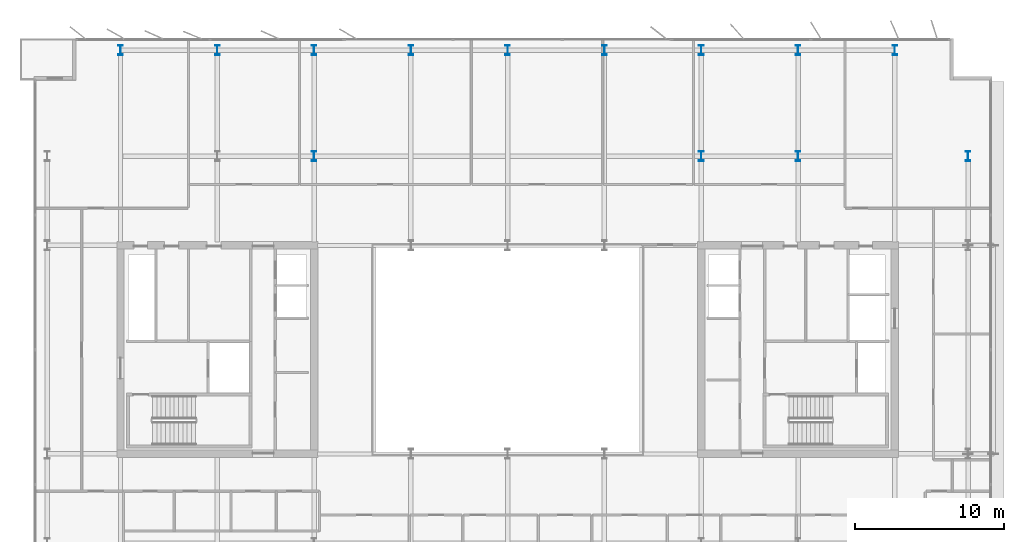
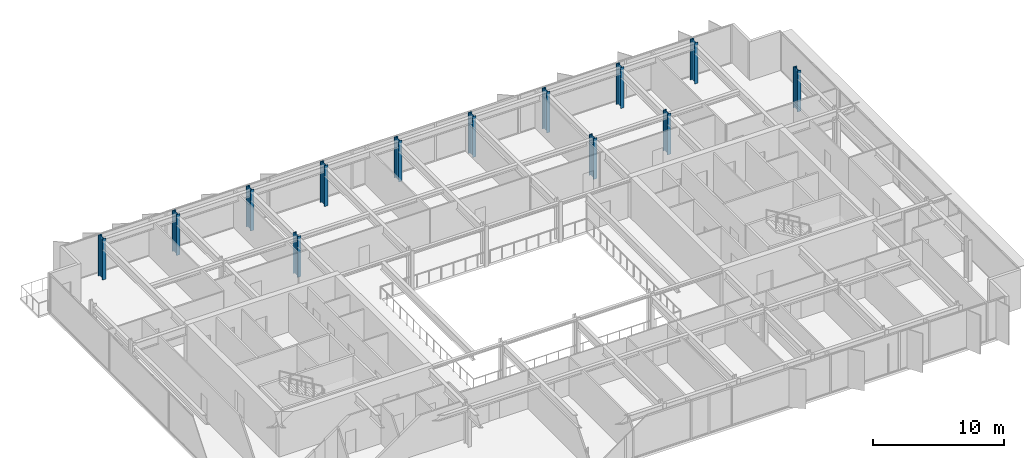
# One storey, part 3 of 20: 13 columns.
"""IFC4 building model written with IfcOpenShell, lengths in metres."""

from ifc_helpers import new_model, si_unit, direction, frame, origin, origin_2d, place, context, subcontext, project, spatial, i_section, extrude, material, material_profile, profile_set, type_object, element, save


model = new_model("IFC4")

# Units and contexts
model_context = context("Model", 3, precision=1e-05, world=origin(), true_north=direction((0.0, 1.0)))
body_context = subcontext(model_context, "Body", "Model", "MODEL_VIEW")
ifc_project = project(units=[si_unit("LENGTHUNIT", "METRE"), si_unit("AREAUNIT", "SQUARE_METRE"), si_unit("VOLUMEUNIT", "CUBIC_METRE"), si_unit("PLANEANGLEUNIT", "RADIAN"), si_unit("MASSUNIT", "GRAM", prefix="KILO")], contexts=[model_context])

# Site, building, storey
site_placement = place(None, origin())
site = spatial("IfcSite", under=ifc_project, at=site_placement, CompositionType="ELEMENT")
building_placement = place(site_placement, origin())
building = spatial("IfcBuilding", under=site, at=building_placement, Name="Putna Gate Headquarters", CompositionType="ELEMENT")
storey_placement = place(building_placement, frame((0.0, 0.0, 270.800048828125)))
storey = spatial("IfcBuildingStorey", under=building, at=storey_placement, Name="L68", CompositionType="ELEMENT", Elevation=270.800048828125)

# Columns
ifc_material = material(Name="Steel S460M", Category="steel")
ifc_material_profile_1 = material_profile(ifc_material, i_section(OverallWidth=0.304931640625, OverallDepth=0.66796875, WebThickness=0.02099609375, FlangeThickness=0.0400390625, at=origin_2d()), Name="Steel S460M")
ifc_profile_set_1 = profile_set([ifc_material_profile_1], Name="Steel S460M")
column_type_1 = type_object("IfcColumnType", Name="COL-STL-HEM650-EXT", PredefinedType="COLUMN", material=ifc_profile_set_1)
for number, where, z_axis, x_axis, name in (
    (1, (13.0, 46.1201171875, 0.0), (0.0, 0.0, 1.0), (1.0, 0.0, 0.0), "L68 Column CP-N13"),
    (2, (19.5, 46.1201171875, 0.0), (0.0, 0.0, 1.0), (1.0, 0.0, 0.0), "L68 Column CP-N19"),
    (3, (26.0, 46.1201171875, 0.0), (0.0, 0.0, 1.0), (1.0, 0.0, 0.0), "L68 Column CP-N26"),
    (4, (32.5, 46.1201171875, 0.0), (0.0, 0.0, 1.0), (1.0, 0.0, 0.0), "L68 Column CP-N32"),
    (5, (39.0, 46.1201171875, 0.0), (0.0, 0.0, 1.0), (1.0, 0.0, 0.0), "L68 Column CP-N39"),
    (6, (45.5, 46.1201171875, 0.0), (0.0, 0.0, 1.0), (1.0, 0.0, 0.0), "L68 Column CP-N45"),
    (7, (52.0, 46.1201171875, 0.0), (0.0, 0.0, 1.0), (1.0, 0.0, 0.0), "L68 Column CP-N52"),
    (8, (58.5, 46.1201171875, 0.0), (0.0, 0.0, 1.0), (1.0, 0.0, 0.0), "L68 Column CP-N58"),
    (9, (65.0, 46.1201171875, 0.0), (0.0, 0.0, 1.0), (1.0, 0.0, 0.0), "L68 Column CP-N65"),
    (10, (69.919921875, 39.0, 0.0), (0.0, 0.0, 1.0), (1.0, 0.0, 0.0), "L68 Column CP-E39"),
):
    element("IfcColumn", number, at=place(storey_placement, frame(where, z_axis=z_axis, x_axis=x_axis)), inside=storey, type_object=column_type_1, Name=name, PredefinedType="COLUMN", context=body_context, shape_type="SweptSolid", body=[
        extrude(i_section(OverallWidth=0.304931640625, OverallDepth=0.66796875, WebThickness=0.02099609375, FlangeThickness=0.0400390625, at=origin_2d()), origin(), (0.0, 0.0, 1.0), 3.800048828125),
    ])
ifc_material_profile_2 = material_profile(ifc_material, i_section(OverallWidth=0.304931640625, OverallDepth=0.66796875, WebThickness=0.02099609375, FlangeThickness=0.0400390625, at=origin_2d()), Name="Steel S460M")
ifc_profile_set_2 = profile_set([ifc_material_profile_2], Name="Steel S460M")
column_type_2 = type_object("IfcColumnType", Name="COL-STL-HEM650-INT", PredefinedType="COLUMN", material=ifc_profile_set_2)
for number, where, z_axis, x_axis, name in (
    (11, (58.5, 39.0, 0.0), (0.0, 0.0, 1.0), (1.0, 0.0, 0.0), "L68 Column CSI-EN"),
    (12, (26.0, 39.0, 0.0), (0.0, 0.0, 1.0), (1.0, 0.0, 0.0), "L68 Column CAP-WN"),
    (13, (52.0, 39.0, 0.0), (0.0, 0.0, 1.0), (1.0, 0.0, 0.0), "L68 Column CAP-EN"),
):
    element("IfcColumn", number, at=place(storey_placement, frame(where, z_axis=z_axis, x_axis=x_axis)), inside=storey, type_object=column_type_2, Name=name, PredefinedType="COLUMN", context=body_context, shape_type="SweptSolid", body=[
        extrude(i_section(OverallWidth=0.304931640625, OverallDepth=0.66796875, WebThickness=0.02099609375, FlangeThickness=0.0400390625, at=origin_2d()), origin(), (0.0, 0.0, 1.0), 3.800048828125),
    ])

save(model, "model.ifc")
